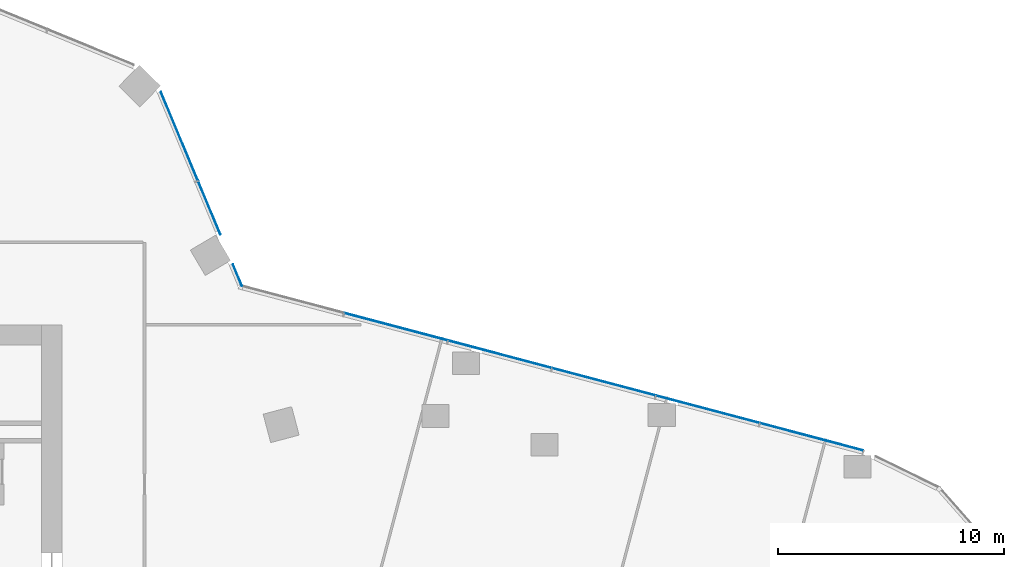
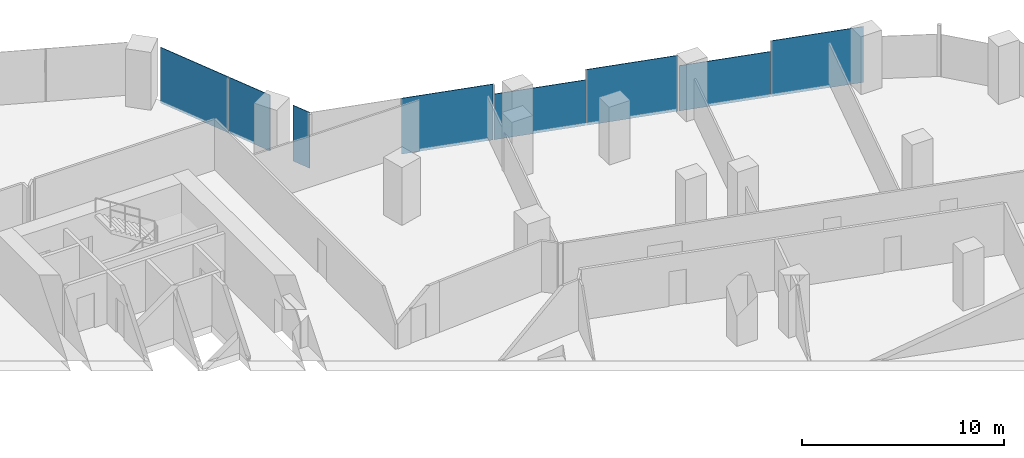
# One storey, part 25 of 35: 8 plates, 2 elements without a shape of their own.
"""IFC4 building model written with IfcOpenShell, lengths in metres."""

from ifc_helpers import new_model, si_unit, direction, frame, origin, origin_2d, place, context, subcontext, project, spatial, rectangle, extrude, material, layer, layer_set, type_object, element, aggregate, save


model = new_model("IFC4")

# Units and contexts
model_context = context("Model", 3, precision=1e-05, world=origin(), true_north=direction((0.0, 1.0)))
body_context = subcontext(model_context, "Body", "Model", "MODEL_VIEW")
ifc_project = project(units=[si_unit("LENGTHUNIT", "METRE"), si_unit("AREAUNIT", "SQUARE_METRE"), si_unit("VOLUMEUNIT", "CUBIC_METRE"), si_unit("PLANEANGLEUNIT", "RADIAN"), si_unit("MASSUNIT", "GRAM", prefix="KILO")], contexts=[model_context])

# Site, building, storey
site_placement = place(None, origin())
site = spatial("IfcSite", under=ifc_project, at=site_placement, CompositionType="ELEMENT")
building_placement = place(site_placement, origin())
building = spatial("IfcBuilding", under=site, at=building_placement, Name="Orlundy Tower", CompositionType="ELEMENT")
storey_placement = place(building_placement, frame((0.0, 0.0, 116.199951171875)))
storey = spatial("IfcBuildingStorey", under=building, at=storey_placement, Name="L29", CompositionType="ELEMENT", Elevation=116.199951171875)

# Curtain wall, plates
ifc_material_1 = material(Name="Aluminium bronze anodised", Category="aluminium")
curtain_wall_type = type_object("IfcCurtainWallType", Name="CW1 wall", PredefinedType="NOTDEFINED", material=ifc_material_1)
curtain_wall_1_placement = place(storey_placement, origin())
curtain_wall_1 = element("IfcCurtainWall", 1, at=curtain_wall_1_placement, inside=storey, type_object=curtain_wall_type, Name="CW1 run 017", PredefinedType="NOTDEFINED")
ifc_material_2 = material(Name="Tinted glass", Category="glass")
ifc_layer = layer(ifc_material_2, 0.031982421875)
ifc_layer_set = layer_set([ifc_layer], Name="CW1 glass panel 32")
plate_type = type_object("IfcPlateType", Name="CW1 glass panel 32", PredefinedType="CURTAIN_PANEL", material=ifc_layer_set)
plate_1_placement = place(storey_placement, frame((24.19091796875, 20.347900390625, -0.27978515625), z_axis=(0.0, 0.0, 1.0), x_axis=(0.385378258299, -0.922758688949, 0.0)))
plate_1 = element("IfcPlate", 2, at=plate_1_placement, type_object=plate_type, Name="CW1 panel", PredefinedType="CURTAIN_PANEL", context=body_context, shape_type="SweptSolid", body=[
    extrude(rectangle(XDim=4.240966796875, YDim=0.031982421875, at=origin_2d()), origin(), (0.0, 0.0, 1.0), 3.3798828125),
])
plate_2_placement = place(storey_placement, frame((25.51708984375, 17.172607421875, -0.27978515625), z_axis=(0.0, 0.0, 1.0), x_axis=(0.385378258299, -0.922758688949, 0.0)))
plate_2 = element("IfcPlate", 3, at=plate_2_placement, type_object=plate_type, Name="CW1 panel", PredefinedType="CURTAIN_PANEL", context=body_context, shape_type="SweptSolid", body=[
    extrude(rectangle(XDim=2.541259765625, YDim=0.031982421875, at=origin_2d()), origin(), (0.0, 0.0, 1.0), 3.3798828125),
])
plate_3_placement = place(storey_placement, frame((26.759521484375, 14.19775390625, -0.27978515625), z_axis=(0.0, 0.0, 1.0), x_axis=(0.385378258299, -0.922758688949, 0.0)))
plate_3 = element("IfcPlate", 4, at=plate_3_placement, type_object=plate_type, Name="CW1 panel", PredefinedType="CURTAIN_PANEL", context=body_context, shape_type="SweptSolid", body=[
    extrude(rectangle(XDim=1.0361328125, YDim=0.031982421875, at=origin_2d()), origin(), (0.0, 0.0, 1.0), 3.3798828125),
])
aggregate(curtain_wall_1, [plate_1, plate_2, plate_3])

curtain_wall_2_placement = place(storey_placement, origin())
curtain_wall_2 = element("IfcCurtainWall", 5, at=curtain_wall_2_placement, inside=storey, type_object=curtain_wall_type, Name="CW1 run 018", PredefinedType="NOTDEFINED")
plate_4_placement = place(storey_placement, frame((33.7763671875, 11.914306640625, -0.27978515625), z_axis=(0.0, 0.0, 1.0), x_axis=(0.966671560598, -0.256019713949, 0.0)))
plate_4 = element("IfcPlate", 6, at=plate_4_placement, type_object=plate_type, Name="CW1 panel", PredefinedType="CURTAIN_PANEL", context=body_context, shape_type="SweptSolid", body=[
    extrude(rectangle(XDim=4.70556640625, YDim=0.031982421875, at=origin_2d()), origin(), (0.0, 0.0, 1.0), 3.3798828125),
])
plate_5_placement = place(storey_placement, frame((38.37353515625, 10.69677734375, -0.27978515625), z_axis=(0.0, 0.0, 1.0), x_axis=(0.966671560598, -0.256019713949, 0.0)))
plate_5 = element("IfcPlate", 7, at=plate_5_placement, type_object=plate_type, Name="CW1 panel", PredefinedType="CURTAIN_PANEL", context=body_context, shape_type="SweptSolid", body=[
    extrude(rectangle(XDim=4.70556640625, YDim=0.031982421875, at=origin_2d()), origin(), (0.0, 0.0, 1.0), 2.763916015625),
])
plate_6_placement = place(storey_placement, frame((42.970458984375, 9.479248046875, -0.27978515625), z_axis=(0.0, 0.0, 1.0), x_axis=(0.966671560598, -0.256019713949, 0.0)))
plate_6 = element("IfcPlate", 8, at=plate_6_placement, type_object=plate_type, Name="CW1 panel", PredefinedType="CURTAIN_PANEL", context=body_context, shape_type="SweptSolid", body=[
    extrude(rectangle(XDim=4.70556640625, YDim=0.031982421875, at=origin_2d()), origin(), (0.0, 0.0, 1.0), 3.3798828125),
])
plate_7_placement = place(storey_placement, frame((47.5673828125, 8.26171875, -0.27978515625), z_axis=(0.0, 0.0, 1.0), x_axis=(0.966671560598, -0.256019713949, 0.0)))
plate_7 = element("IfcPlate", 9, at=plate_7_placement, type_object=plate_type, Name="CW1 panel", PredefinedType="CURTAIN_PANEL", context=body_context, shape_type="SweptSolid", body=[
    extrude(rectangle(XDim=4.70556640625, YDim=0.031982421875, at=origin_2d()), origin(), (0.0, 0.0, 1.0), 2.739990234375),
])
plate_8_placement = place(storey_placement, frame((52.172119140625, 7.042236328125, -0.27978515625), z_axis=(0.0, 0.0, 1.0), x_axis=(0.966671560598, -0.256019713949, 0.0)))
plate_8 = element("IfcPlate", 10, at=plate_8_placement, type_object=plate_type, Name="CW1 panel", PredefinedType="CURTAIN_PANEL", context=body_context, shape_type="SweptSolid", body=[
    extrude(rectangle(XDim=4.721435546875, YDim=0.031982421875, at=origin_2d()), origin(), (0.0, 0.0, 1.0), 3.3798828125),
])
aggregate(curtain_wall_2, [plate_4, plate_5, plate_6, plate_7, plate_8])

save(model, "model.ifc")
